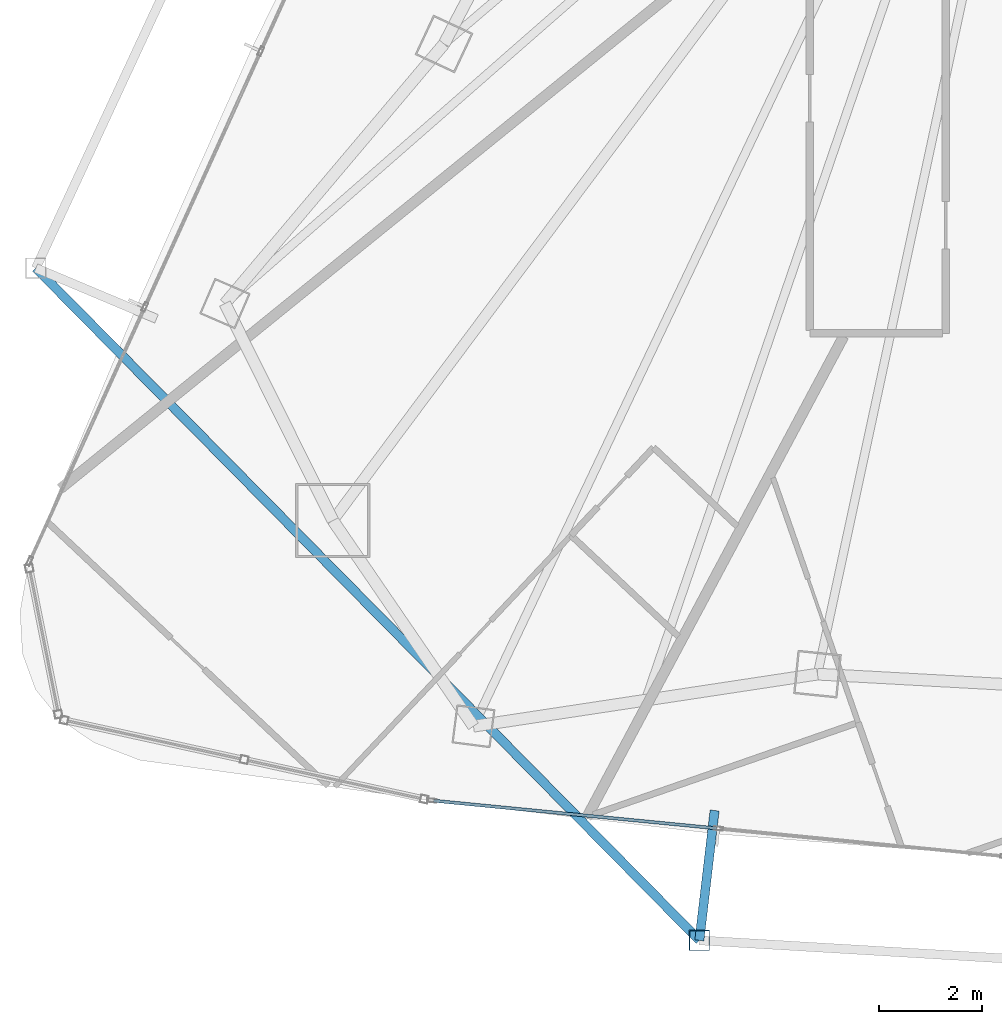
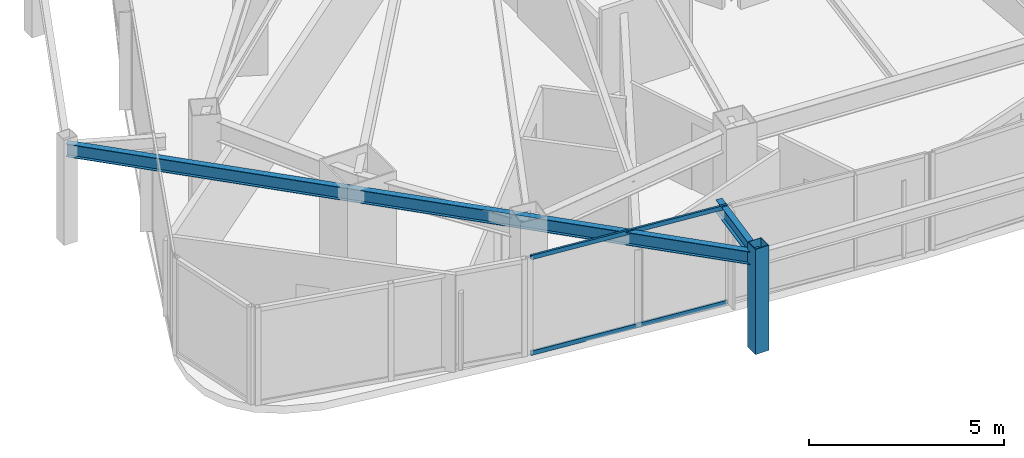
# One storey, part 3 of 29: 3 members, 2 beams, 1 element without a shape of its own.
"""IFC4 building model written with IfcOpenShell, lengths in metres."""

from ifc_helpers import new_model, si_unit, direction, frame, origin, origin_2d, place, context, subcontext, project, spatial, hollow_rectangle, i_section, extrude, material, layer, layer_set, material_profile, profile_set, type_object, element, aggregate, save


model = new_model("IFC4")

# Units and contexts
model_context = context("Model", 3, precision=1e-05, world=origin(), true_north=direction((0.0, 1.0)))
body_context = subcontext(model_context, "Body", "Model", "MODEL_VIEW")
ifc_project = project(units=[si_unit("LENGTHUNIT", "METRE"), si_unit("AREAUNIT", "SQUARE_METRE"), si_unit("VOLUMEUNIT", "CUBIC_METRE"), si_unit("PLANEANGLEUNIT", "RADIAN"), si_unit("MASSUNIT", "GRAM", prefix="KILO")], contexts=[model_context])

# Site, building, storey
site_placement = place(None, origin())
site = spatial("IfcSite", under=ifc_project, at=site_placement, CompositionType="ELEMENT")
building_placement = place(site_placement, origin())
building = spatial("IfcBuilding", under=site, at=building_placement, Name="Orvanel Arch Residences", CompositionType="ELEMENT")
storey_placement = place(building_placement, frame((0.0, 0.0, 160.550048828125)))
storey = spatial("IfcBuildingStorey", under=building, at=storey_placement, Name="L45", CompositionType="ELEMENT", Elevation=160.550048828125)

# Beams
ifc_material_1 = material(Name="Structural steel AS/NZS 3679.1 Grade 300 (300 MPa)", Category="steel")
ifc_material_profile_1 = material_profile(ifc_material_1, i_section(OverallWidth=0.177978515625, OverallDepth=0.406005859375, WebThickness=0.0078125, FlangeThickness=0.0126953125, at=origin_2d()), Name="410UB59.7")
ifc_profile_set_1 = profile_set([ifc_material_profile_1], Name="Structural steel AS/NZS 3679.1 Grade 300 (300 MPa)")
beam_type = type_object("IfcBeamType", Name="OB-410UB-EXT", PredefinedType="SPANDREL", material=ifc_profile_set_1)
beam_1_placement = place(storey_placement, frame((8.408935546875, 15.27197265625, 2.85693359375), z_axis=(0.702451850816, -0.711731267604, 0.0), x_axis=(0.711731267604, 0.702451850816, 0.0)))
element("IfcBeam", 1, at=beam_1_placement, inside=storey, type_object=beam_type, Name="L45 Outer Perimeter Floor Ring Beam 04", PredefinedType="SPANDREL", context=body_context, shape_type="SweptSolid", body=[
    extrude(i_section(OverallWidth=0.177978515625, OverallDepth=0.406005859375, WebThickness=0.0078125, FlangeThickness=0.0126953125, at=origin_2d()), origin(), (0.0, 0.0, 1.0), 18.4169921875),
])
beam_2_placement = place(storey_placement, frame((21.64306640625, 4.696044921875, 2.85693359375), z_axis=(-0.11654675499, -0.993185206244, 0.0), x_axis=(0.993185206244, -0.11654675499, 0.0)))
element("IfcBeam", 2, at=beam_2_placement, inside=storey, type_object=beam_type, Name="L45 Outer Frame Radial Tie Beam 05", PredefinedType="SPANDREL", context=body_context, shape_type="SweptSolid", body=[
    extrude(i_section(OverallWidth=0.177978515625, OverallDepth=0.406005859375, WebThickness=0.0078125, FlangeThickness=0.0126953125, at=origin_2d()), origin(), (0.0, 0.0, 1.0), 2.54931640625),
])

# Member
ifc_material_2 = material(Name="Structural steel AS/NZS 1163 C450L0 (Grade 450)", Category="steel")
ifc_material_profile_2 = material_profile(ifc_material_2, hollow_rectangle(XDim=0.39990234375, YDim=0.39990234375, WallThickness=0.01611328125, at=origin_2d()), Name="SHS400x400x16")
ifc_profile_set_2 = profile_set([ifc_material_profile_2], Name="Structural steel AS/NZS 1163 C450L0 (Grade 450)")
member_type_1 = type_object("IfcMemberType", Name="ST-400SHS-EXT", PredefinedType="STRUT", material=ifc_profile_set_2)
member_1_placement = place(storey_placement, frame((21.345947265625, 2.1640625, 0.0), z_axis=(0.0, 0.0, 1.0), x_axis=(1.0, 0.0, 0.0)))
element("IfcMember", 3, at=member_1_placement, inside=storey, type_object=member_type_1, Name="L45 Outer Perimeter Frame Post 05", PredefinedType="STRUT", context=body_context, shape_type="SweptSolid", body=[
    extrude(hollow_rectangle(XDim=0.39990234375, YDim=0.39990234375, WallThickness=0.01611328125, at=origin_2d()), origin(), (0.0, 0.0, 1.0), 3.300048828125),
])

# Curtain wall, members
ifc_material_3 = material(Name="Bronze-anodised aluminium AA6063-T6", Category="aluminium")
ifc_layer = layer(ifc_material_3, 0.179931640625)
ifc_layer_set = layer_set([ifc_layer], Name="Bronze-anodised aluminium AA6063-T6")
curtain_wall_type = type_object("IfcCurtainWallType", Name="CW3-MID-SYS", PredefinedType="NOTDEFINED", material=ifc_layer_set)
curtain_wall_placement = place(storey_placement, origin())
curtain_wall = element("IfcCurtainWall", 4, at=curtain_wall_placement, inside=storey, type_object=curtain_wall_type, Name="L45 CW3-MID-SYS Unitised Curtain Wall", PredefinedType="NOTDEFINED")
ifc_material_profile_3 = material_profile(ifc_material_3, hollow_rectangle(XDim=0.06005859375, YDim=0.135009765625, WallThickness=0.00390625, at=origin_2d()), Name="ALU135x60x4")
ifc_profile_set_3 = profile_set([ifc_material_profile_3], Name="Bronze-anodised aluminium AA6063-T6")
member_type_2 = type_object("IfcMemberType", Name="TRN-135x60", PredefinedType="USERDEFINED", material=ifc_profile_set_3)
member_2_placement = place(storey_placement, frame((16.165771484375, 4.88720703125, 0.030029296875), z_axis=(0.995255824689, -0.097292566125, 0.0), x_axis=(0.097292566125, 0.995255824689, 0.0)))
member_2 = element("IfcMember", 5, at=member_2_placement, type_object=member_type_2, Name="CW-S3 transom 1.1", ObjectType="TRANSOM", PredefinedType="USERDEFINED", context=body_context, shape_type="SweptSolid", body=[
    extrude(hollow_rectangle(XDim=0.06005859375, YDim=0.135009765625, WallThickness=0.00390625, at=origin_2d()), origin(), (0.0, 0.0, 1.0), 5.543212890625),
])
member_3_placement = place(storey_placement, frame((16.165771484375, 4.88720703125, 3.030029296875), z_axis=(0.995255824689, -0.097292566125, 0.0), x_axis=(0.097292566125, 0.995255824689, 0.0)))
member_3 = element("IfcMember", 6, at=member_3_placement, type_object=member_type_2, Name="CW-S3 transom 1.2", ObjectType="TRANSOM", PredefinedType="USERDEFINED", context=body_context, shape_type="SweptSolid", body=[
    extrude(hollow_rectangle(XDim=0.06005859375, YDim=0.135009765625, WallThickness=0.00390625, at=origin_2d()), origin(), (0.0, 0.0, 1.0), 5.543212890625),
])
aggregate(curtain_wall, [member_2, member_3])

save(model, "model.ifc")
